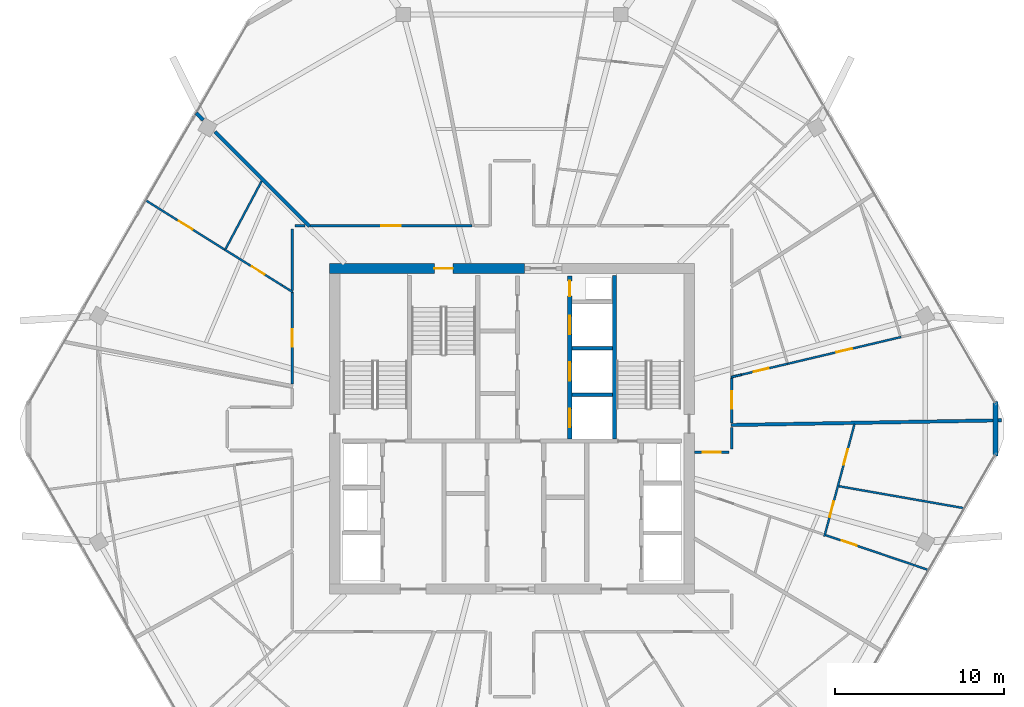
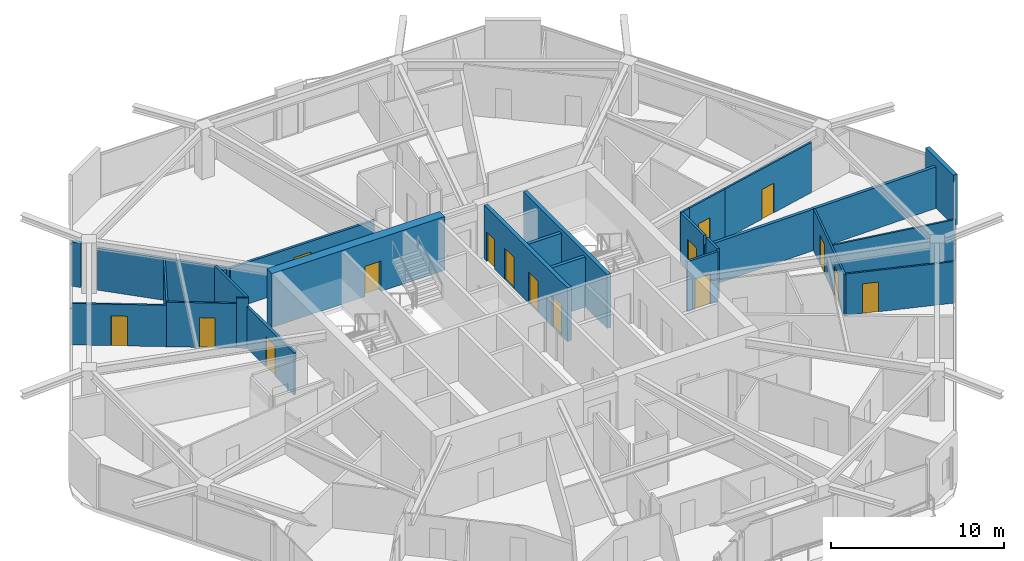
# One storey, part 22 of 26: 26 walls, 16 doors, 16 openings.
"""IFC4 building model written with IfcOpenShell, lengths in metres."""

from ifc_helpers import new_model, si_unit, direction, frame, frame_2d, origin, place, context, subcontext, project, spatial, rectangle, extrude, material, layer, layer_set, type_object, element, fill, save


model = new_model("IFC4")

# Units and contexts
model_context = context("Model", 3, precision=1e-05, world=origin(), true_north=direction((0.0, 1.0)))
body_context = subcontext(model_context, "Body", "Model", "MODEL_VIEW")
ifc_project = project(units=[si_unit("LENGTHUNIT", "METRE"), si_unit("AREAUNIT", "SQUARE_METRE"), si_unit("VOLUMEUNIT", "CUBIC_METRE"), si_unit("PLANEANGLEUNIT", "RADIAN"), si_unit("MASSUNIT", "GRAM", prefix="KILO")], contexts=[model_context])

# Site, building, storey
site_placement = place(None, origin())
site = spatial("IfcSite", under=ifc_project, at=site_placement, CompositionType="ELEMENT")
building_placement = place(site_placement, origin())
building = spatial("IfcBuilding", under=site, at=building_placement, Name="Zuhravey Tower", CompositionType="ELEMENT")
storey_placement = place(building_placement, frame((0.0, 0.0, 288.199951171875)))
storey = spatial("IfcBuildingStorey", under=building, at=storey_placement, Name="L73", CompositionType="ELEMENT", Elevation=288.199951171875)

# Wall, opening, door
ifc_material_1 = material(Name="Concrete C50/60", Category="concrete")
ifc_layer_1 = layer(ifc_material_1, 0.60009765625)
ifc_layer_set_1 = layer_set([ifc_layer_1], Name="Concrete C50/60")
wall_type_1 = type_object("IfcWallType", Name="Core Shear Wall 600", PredefinedType="SHEAR", material=ifc_layer_set_1)
wall_1_placement = place(storey_placement, frame((36.75, 41.5, 0.0), z_axis=(0.0, 0.0, 1.0), x_axis=(-1.0, 0.0, 0.0)))
wall_1 = element("IfcWall", 1, at=wall_1_placement, inside=storey, type_object=wall_type_1, Name="L73 North-West Core Shear Wall CW60", PredefinedType="SHEAR", context=body_context, shape_type="SweptSolid", body=[
    extrude(rectangle(XDim=11.550048828125, YDim=0.60009765625, at=frame_2d((5.77490234375, 0.0))), origin(), (0.0, 0.0, 1.0), 3.800048828125),
])
opening_1_placement = place(wall_1_placement, frame((4.25, 0.0, 0.0)))
opening_1 = element("IfcOpeningElement", 2, at=opening_1_placement, cuts=wall_1, Name="Opening STD1", PredefinedType="OPENING", context=body_context, shape_type="SweptSolid", body=[
    extrude(rectangle(XDim=1.10009765625, YDim=2.14990234375, at=frame_2d((0.550048828125, 1.074951171875))), frame((0.0, 0.31201171875, 0.0), z_axis=(0.0, -1.0, 0.0), x_axis=(1.0, 0.0, 0.0)), (0.0, 0.0, 1.0), 0.6240234375),
])
ifc_material_2 = material(Name="Galvanised fire-rated steel leaf", Category="steel")
door_type_1 = type_object("IfcDoorType", Name="Protected Stair Fire Door 1100x2150", OperationType="NOTDEFINED", PredefinedType="USERDEFINED", material=ifc_material_2)
door_1_placement = place(opening_1_placement, origin())
door_1 = element("IfcDoor", 3, at=door_1_placement, inside=storey, type_object=door_type_1, Name="L73 Stair ST3 Door", ObjectType="EXITDOOR", OperationType="SINGLE_SWING_LEFT", OverallHeight=2.14990234375, OverallWidth=1.10009765625, PredefinedType="USERDEFINED", context=body_context, shape_type="SweptSolid", body=[
    extrude(rectangle(XDim=1.10009765625, YDim=2.14990234375, at=frame_2d((0.550048828125, 1.074951171875))), frame((0.0, 0.02490234375, 0.0), z_axis=(0.0, -1.0, 0.0), x_axis=(1.0, 0.0, 0.0)), (0.0, 0.0, 1.0), 0.050048828125),
])
fill(opening_1, door_1)

ifc_material_3 = material(Name="Gypsum fire-rated stud partition")
ifc_layer_2 = layer(ifc_material_3, 0.159912109375)
ifc_layer_set_2 = layer_set([ifc_layer_2], Name="Gypsum fire-rated stud partition")
wall_type_2 = type_object("IfcWallType", Name="Corridor Fire Partition 160", PredefinedType="PARTITIONING", material=ifc_layer_set_2)
wall_2_placement = place(storey_placement, frame((46.820068359375, 30.6201171875, 0.0), z_axis=(0.0, 0.0, 1.0), x_axis=(1.0, 0.0, 0.0)))
wall_2 = element("IfcWall", 4, at=wall_2_placement, inside=storey, type_object=wall_type_2, Name="L73 IW16 Partition 047", PredefinedType="PARTITIONING", context=body_context, shape_type="SweptSolid", body=[
    extrude(rectangle(XDim=2.030029296875, YDim=0.159912109375, at=frame_2d((1.01513671875, 0.0))), origin(), (0.0, 0.0, 1.0), 3.550048828125),
])
opening_2_placement = place(wall_2_placement, frame((0.489990234375, 0.0, 0.0)))
opening_2 = element("IfcOpeningElement", 5, at=opening_2_placement, cuts=wall_2, Name="Opening APD1", PredefinedType="OPENING", context=body_context, shape_type="SweptSolid", body=[
    extrude(rectangle(XDim=1.050048828125, YDim=2.14990234375, at=frame_2d((0.52490234375, 1.074951171875))), frame((0.0, 0.092041015625, 0.0), z_axis=(0.0, -1.0, 0.0), x_axis=(1.0, 0.0, 0.0)), (0.0, 0.0, 1.0), 0.183837890625),
])
ifc_material_4 = material(Name="Solid-core oak fire-rated leaf")
door_type_2 = type_object("IfcDoorType", Name="Apartment Entrance Fire Door 1050x2150", OperationType="NOTDEFINED", PredefinedType="DOOR", material=ifc_material_4)
door_2_placement = place(opening_2_placement, frame((1.050048828125, 0.0, 0.0), z_axis=(0.0, 0.0, 1.0), x_axis=(-1.0, 0.0, 0.0)))
door_2 = element("IfcDoor", 6, at=door_2_placement, inside=storey, type_object=door_type_2, Name="L73 Door 047.1", OperationType="SINGLE_SWING_RIGHT", OverallHeight=2.14990234375, OverallWidth=1.050048828125, PredefinedType="DOOR", context=body_context, shape_type="SweptSolid", body=[
    extrude(rectangle(XDim=1.050048828125, YDim=2.14990234375, at=frame_2d((0.52490234375, 1.074951171875))), frame((0.0, 0.02490234375, 0.0), z_axis=(0.0, -1.0, 0.0), x_axis=(1.0, 0.0, 0.0)), (0.0, 0.0, 1.0), 0.050048828125),
])
fill(opening_2, door_2)

wall_3_placement = place(storey_placement, frame((49.030029296875, 32.361083984375, 0.0), z_axis=(0.0, 0.0, 1.0), x_axis=(0.0, 1.0, 0.0)))
wall_3 = element("IfcWall", 7, at=wall_3_placement, inside=storey, type_object=wall_type_2, Name="L73 IW16 Partition 051", PredefinedType="PARTITIONING", context=body_context, shape_type="SweptSolid", body=[
    extrude(rectangle(XDim=2.693603515625, YDim=0.159912109375, at=frame_2d((1.3466796875, 0.0))), origin(), (0.0, 0.0, 1.0), 3.550048828125),
])
opening_3_placement = place(wall_3_placement, frame((0.82177734375, 0.0, 0.0)))
opening_3 = element("IfcOpeningElement", 8, at=opening_3_placement, cuts=wall_3, Name="Opening APD1", PredefinedType="OPENING", context=body_context, shape_type="SweptSolid", body=[
    extrude(rectangle(XDim=1.050048828125, YDim=2.14990234375, at=frame_2d((0.52490234375, 1.074951171875))), frame((0.0, 0.092041015625, 0.0), z_axis=(0.0, -1.0, 0.0), x_axis=(1.0, 0.0, 0.0)), (0.0, 0.0, 1.0), 0.183837890625),
])
door_3_placement = place(opening_3_placement, frame((1.050048828125, 0.0, 0.0), z_axis=(0.0, 0.0, 1.0), x_axis=(-1.0, 0.0, 0.0)))
door_3 = element("IfcDoor", 9, at=door_3_placement, inside=storey, type_object=door_type_2, Name="L73 Door 051.1", OperationType="SINGLE_SWING_RIGHT", OverallHeight=2.14990234375, OverallWidth=1.050048828125, PredefinedType="DOOR", context=body_context, shape_type="SweptSolid", body=[
    extrude(rectangle(XDim=1.050048828125, YDim=2.14990234375, at=frame_2d((0.52490234375, 1.074951171875))), frame((0.0, 0.02490234375, 0.0), z_axis=(0.0, -1.0, 0.0), x_axis=(1.0, 0.0, 0.0)), (0.0, 0.0, 1.0), 0.050048828125),
])
fill(opening_3, door_3)

wall_4_placement = place(storey_placement, frame((33.64111328125, 44.030029296875, 0.0), z_axis=(0.0, 0.0, 1.0), x_axis=(-1.0, 0.0, 0.0)))
wall_4 = element("IfcWall", 10, at=wall_4_placement, inside=storey, type_object=wall_type_2, Name="L73 IW16 Partition 061", PredefinedType="PARTITIONING", context=body_context, shape_type="SweptSolid", body=[
    extrude(rectangle(XDim=9.642822265625, YDim=0.159912109375, at=frame_2d((4.8212890625, 0.0))), origin(), (0.0, 0.0, 1.0), 2.949951171875),
])
opening_4_placement = place(wall_4_placement, frame((4.246337890625, 0.0, 0.0)))
opening_4 = element("IfcOpeningElement", 11, at=opening_4_placement, cuts=wall_4, Name="Opening CLD1", PredefinedType="OPENING", context=body_context, shape_type="SweptSolid", body=[
    extrude(rectangle(XDim=1.14990234375, YDim=2.199951171875, at=frame_2d((0.574951171875, 1.10009765625))), frame((0.0, 0.092041015625, 0.0), z_axis=(0.0, -1.0, 0.0), x_axis=(1.0, 0.0, 0.0)), (0.0, 0.0, 1.0), 0.183837890625),
])
ifc_material_5 = material(Name="Acoustic timber leaf with vision lite", Category="wood")
door_type_3 = type_object("IfcDoorType", Name="Classroom Acoustic Door 1150x2200", OperationType="NOTDEFINED", PredefinedType="DOOR", material=ifc_material_5)
door_4_placement = place(opening_4_placement, frame((1.14990234375, 0.0, 0.0), z_axis=(0.0, 0.0, 1.0), x_axis=(-1.0, 0.0, 0.0)))
door_4 = element("IfcDoor", 12, at=door_4_placement, inside=storey, type_object=door_type_3, Name="L73 Door 061.1", OperationType="SINGLE_SWING_RIGHT", OverallHeight=2.199951171875, OverallWidth=1.14990234375, PredefinedType="DOOR", context=body_context, shape_type="SweptSolid", body=[
    extrude(rectangle(XDim=1.14990234375, YDim=2.199951171875, at=frame_2d((0.574951171875, 1.10009765625))), frame((0.0, 0.02490234375, 0.0), z_axis=(0.0, -1.0, 0.0), x_axis=(1.0, 0.0, 0.0)), (0.0, 0.0, 1.0), 0.050048828125),
])
fill(opening_4, door_4)

wall_5_placement = place(storey_placement, frame((22.969970703125, 40.105712890625, 0.0), z_axis=(0.0, 0.0, 1.0), x_axis=(0.0, -1.0, 0.0)))
wall_5 = element("IfcWall", 13, at=wall_5_placement, inside=storey, type_object=wall_type_2, Name="L73 IW16 Partition 064", PredefinedType="PARTITIONING", context=body_context, shape_type="SweptSolid", body=[
    extrude(rectangle(XDim=5.434326171875, YDim=0.159912109375, at=frame_2d((2.71728515625, 0.0))), origin(), (0.0, 0.0, 1.0), 2.949951171875),
])
opening_5_placement = place(wall_5_placement, frame((2.192138671875, 0.0, 0.0)))
opening_5 = element("IfcOpeningElement", 14, at=opening_5_placement, cuts=wall_5, Name="Opening APD1", PredefinedType="OPENING", context=body_context, shape_type="SweptSolid", body=[
    extrude(rectangle(XDim=1.050048828125, YDim=2.14990234375, at=frame_2d((0.52490234375, 1.074951171875))), frame((0.0, 0.092041015625, 0.0), z_axis=(0.0, -1.0, 0.0), x_axis=(1.0, 0.0, 0.0)), (0.0, 0.0, 1.0), 0.183837890625),
])
door_5_placement = place(opening_5_placement, frame((1.050048828125, 0.0, 0.0), z_axis=(0.0, 0.0, 1.0), x_axis=(-1.0, 0.0, 0.0)))
door_5 = element("IfcDoor", 15, at=door_5_placement, inside=storey, type_object=door_type_2, Name="L73 Door 064.1", OperationType="SINGLE_SWING_LEFT", OverallHeight=2.14990234375, OverallWidth=1.050048828125, PredefinedType="DOOR", context=body_context, shape_type="SweptSolid", body=[
    extrude(rectangle(XDim=1.050048828125, YDim=2.14990234375, at=frame_2d((0.52490234375, 1.074951171875))), frame((0.0, 0.02490234375, 0.0), z_axis=(0.0, -1.0, 0.0), x_axis=(1.0, 0.0, 0.0)), (0.0, 0.0, 1.0), 0.050048828125),
])
fill(opening_5, door_5)

# Walls
wall_6_placement = place(storey_placement, frame((49.030029296875, 30.800048828125, 0.0), z_axis=(0.0, 0.0, 1.0), x_axis=(0.0, 1.0, 0.0)))
element("IfcWall", 16, at=wall_6_placement, inside=storey, type_object=wall_type_2, Name="L73 IW16 Partition 122", PredefinedType="PARTITIONING", context=body_context, shape_type="SweptSolid", body=[
    extrude(rectangle(XDim=1.293701171875, YDim=0.159912109375, at=frame_2d((0.64697265625, 0.0))), origin(), (0.0, 0.0, 1.0), 3.550048828125),
])
wall_7_placement = place(storey_placement, frame((22.969970703125, 43.85009765625, 0.0), z_axis=(0.0, 0.0, 1.0), x_axis=(0.0, -1.0, 0.0)))
element("IfcWall", 17, at=wall_7_placement, inside=storey, type_object=wall_type_2, Name="L73 IW16 Partition 131", PredefinedType="PARTITIONING", context=body_context, shape_type="SweptSolid", body=[
    extrude(rectangle(XDim=3.640625, YDim=0.159912109375, at=frame_2d((1.8203125, 0.0))), origin(), (0.0, 0.0, 1.0), 3.550048828125),
])
wall_8_placement = place(storey_placement, frame((23.7294921875, 44.030029296875, 0.0), z_axis=(0.0, 0.0, 1.0), x_axis=(-1.0, 0.0, 0.0)))
element("IfcWall", 18, at=wall_8_placement, inside=storey, type_object=wall_type_2, Name="L73 IW16 Partition 132", PredefinedType="PARTITIONING", context=body_context, shape_type="SweptSolid", body=[
    extrude(rectangle(XDim=0.57958984375, YDim=0.159912109375, at=frame_2d((0.289794921875, 0.0))), origin(), (0.0, 0.0, 1.0), 2.949951171875),
])
ifc_material_6 = material(Name="Precast concrete C40/50", Category="concrete")
ifc_layer_3 = layer(ifc_material_6, 0.280029296875)
ifc_layer_set_3 = layer_set([ifc_layer_3], Name="Precast concrete C40/50")
wall_type_3 = type_object("IfcWallType", Name="Crown Architectural Wall 280", PredefinedType="SOLIDWALL", material=ifc_layer_set_3)
wall_9_placement = place(storey_placement, frame((64.64501953125, 33.607421875, 0.0), z_axis=(0.0, 0.0, 1.0), x_axis=(0.0, -1.0, 0.0)))
element("IfcWall", 19, at=wall_9_placement, inside=storey, type_object=wall_type_3, Name="L73 Rounded Corner Closure Wall EW28-12", PredefinedType="SOLIDWALL", context=body_context, shape_type="SweptSolid", body=[
    extrude(rectangle(XDim=3.21484375, YDim=0.280029296875, at=frame_2d((1.607421875, 0.0))), origin(), (0.0, 0.0, 1.0), 3.550048828125),
])
ifc_layer_4 = layer(ifc_material_1, 0.25)
ifc_layer_set_4 = layer_set([ifc_layer_4], Name="Concrete C50/60")
wall_type_4 = type_object("IfcWallType", Name="Firefighting Shaft & Stair Wall 250", PredefinedType="SOLIDWALL", material=ifc_layer_set_4)
wall_10_placement = place(storey_placement, frame((42.074951171875, 31.39990234375, 0.0), z_axis=(0.0, 0.0, 1.0), x_axis=(0.0, 1.0, 0.0)))
element("IfcWall", 20, at=wall_10_placement, inside=storey, type_object=wall_type_4, Name="L73 FW25 Shaft Wall 006", PredefinedType="SOLIDWALL", context=body_context, shape_type="SweptSolid", body=[
    extrude(rectangle(XDim=9.7001953125, YDim=0.25, at=frame_2d((4.85009765625, 0.0))), origin(), (0.0, 0.0, 1.0), 3.800048828125),
])

# Wall, openings, doors
wall_11_placement = place(storey_placement, frame((39.425048828125, 31.39990234375, 0.0), z_axis=(0.0, 0.0, 1.0), x_axis=(0.0, 1.0, 0.0)))
wall_11 = element("IfcWall", 21, at=wall_11_placement, inside=storey, type_object=wall_type_4, Name="L73 FW25 Shaft Wall 008", PredefinedType="SOLIDWALL", context=body_context, shape_type="SweptSolid", body=[
    extrude(rectangle(XDim=9.650146484375, YDim=0.25, at=frame_2d((4.8251953125, 0.0))), origin(), (0.0, 0.0, 1.0), 3.800048828125),
])
opening_6_placement = place(wall_11_placement, frame((0.699951171875, 0.0, 0.0)))
opening_6 = element("IfcOpeningElement", 22, at=opening_6_placement, cuts=wall_11, Name="Opening LD1", PredefinedType="OPENING", context=body_context, shape_type="SweptSolid", body=[
    extrude(rectangle(XDim=1.10009765625, YDim=2.199951171875, at=frame_2d((0.550048828125, 1.10009765625))), frame((0.0, 0.136962890625, 0.0), z_axis=(0.0, -1.0, 0.0), x_axis=(1.0, 0.0, 0.0)), (0.0, 0.0, 1.0), 0.27392578125),
])
opening_7_placement = place(wall_11_placement, frame((3.449951171875, 0.0, 0.0)))
opening_7 = element("IfcOpeningElement", 23, at=opening_7_placement, cuts=wall_11, Name="Opening LD1", PredefinedType="OPENING", context=body_context, shape_type="SweptSolid", body=[
    extrude(rectangle(XDim=1.10009765625, YDim=2.199951171875, at=frame_2d((0.550048828125, 1.10009765625))), frame((0.0, 0.136962890625, 0.0), z_axis=(0.0, -1.0, 0.0), x_axis=(1.0, 0.0, 0.0)), (0.0, 0.0, 1.0), 0.27392578125),
])
opening_8_placement = place(wall_11_placement, frame((6.199951171875, 0.0, 0.0)))
opening_8 = element("IfcOpeningElement", 24, at=opening_8_placement, cuts=wall_11, Name="Opening LD1", PredefinedType="OPENING", context=body_context, shape_type="SweptSolid", body=[
    extrude(rectangle(XDim=1.10009765625, YDim=2.199951171875, at=frame_2d((0.550048828125, 1.10009765625))), frame((0.0, 0.136962890625, 0.0), z_axis=(0.0, -1.0, 0.0), x_axis=(1.0, 0.0, 0.0)), (0.0, 0.0, 1.0), 0.27392578125),
])
opening_9_placement = place(wall_11_placement, frame((8.469970703125, 0.0, 0.0)))
opening_9 = element("IfcOpeningElement", 25, at=opening_9_placement, cuts=wall_11, Name="Opening RSD1", PredefinedType="OPENING", context=body_context, shape_type="SweptSolid", body=[
    extrude(rectangle(XDim=0.89990234375, YDim=2.10009765625, at=frame_2d((0.449951171875, 1.050048828125))), frame((0.0, 0.136962890625, 0.0), z_axis=(0.0, -1.0, 0.0), x_axis=(1.0, 0.0, 0.0)), (0.0, 0.0, 1.0), 0.27392578125),
])
ifc_material_7 = material(Name="Brushed stainless steel", Category="steel")
door_type_4 = type_object("IfcDoorType", Name="Lift Landing Sliding Door 1100x2200", OperationType="DOUBLE_DOOR_SLIDING", PredefinedType="DOOR", material=ifc_material_7)
door_6_placement = place(opening_6_placement, origin())
door_6 = element("IfcDoor", 26, at=door_6_placement, inside=storey, type_object=door_type_4, Name="L73 Lift PL7 Landing Door", OperationType="DOUBLE_DOOR_SLIDING", OverallHeight=2.199951171875, OverallWidth=1.10009765625, PredefinedType="DOOR", context=body_context, shape_type="SweptSolid", body=[
    extrude(rectangle(XDim=1.10009765625, YDim=2.199951171875, at=frame_2d((0.550048828125, 1.10009765625))), frame((0.0, 0.02490234375, 0.0), z_axis=(0.0, -1.0, 0.0), x_axis=(1.0, 0.0, 0.0)), (0.0, 0.0, 1.0), 0.050048828125),
])
fill(opening_6, door_6)
door_7_placement = place(opening_7_placement, origin())
door_7 = element("IfcDoor", 27, at=door_7_placement, inside=storey, type_object=door_type_4, Name="L73 Lift PL8 Landing Door", OperationType="DOUBLE_DOOR_SLIDING", OverallHeight=2.199951171875, OverallWidth=1.10009765625, PredefinedType="DOOR", context=body_context, shape_type="SweptSolid", body=[
    extrude(rectangle(XDim=1.10009765625, YDim=2.199951171875, at=frame_2d((0.550048828125, 1.10009765625))), frame((0.0, 0.02490234375, 0.0), z_axis=(0.0, -1.0, 0.0), x_axis=(1.0, 0.0, 0.0)), (0.0, 0.0, 1.0), 0.050048828125),
])
fill(opening_7, door_7)
door_8_placement = place(opening_8_placement, origin())
door_8 = element("IfcDoor", 28, at=door_8_placement, inside=storey, type_object=door_type_4, Name="L73 Lift PL9 Landing Door", OperationType="DOUBLE_DOOR_SLIDING", OverallHeight=2.199951171875, OverallWidth=1.10009765625, PredefinedType="DOOR", context=body_context, shape_type="SweptSolid", body=[
    extrude(rectangle(XDim=1.10009765625, YDim=2.199951171875, at=frame_2d((0.550048828125, 1.10009765625))), frame((0.0, 0.02490234375, 0.0), z_axis=(0.0, -1.0, 0.0), x_axis=(1.0, 0.0, 0.0)), (0.0, 0.0, 1.0), 0.050048828125),
])
fill(opening_8, door_8)
ifc_material_8 = material(Name="Galvanised fire-rated steel access leaf", Category="steel")
door_type_5 = type_object("IfcDoorType", Name="Riser & Shaft Access Fire Door 900x2100", OperationType="NOTDEFINED", PredefinedType="DOOR", material=ifc_material_8)
door_9_placement = place(opening_9_placement, origin())
door_9 = element("IfcDoor", 29, at=door_9_placement, inside=storey, type_object=door_type_5, Name="L73 North Riser Door", OperationType="SINGLE_SWING_RIGHT", OverallHeight=2.10009765625, OverallWidth=0.89990234375, PredefinedType="DOOR", context=body_context, shape_type="SweptSolid", body=[
    extrude(rectangle(XDim=0.89990234375, YDim=2.10009765625, at=frame_2d((0.449951171875, 1.050048828125))), frame((0.0, 0.02490234375, 0.0), z_axis=(0.0, -1.0, 0.0), x_axis=(1.0, 0.0, 0.0)), (0.0, 0.0, 1.0), 0.050048828125),
])
fill(opening_9, door_9)

# Walls
ifc_material_9 = material(Name="Gypsum double-stud party assembly")
ifc_layer_5 = layer(ifc_material_9, 0.199951171875)
ifc_layer_set_5 = layer_set([ifc_layer_5], Name="Gypsum double-stud party assembly")
wall_type_5 = type_object("IfcWallType", Name="Inter-Tenancy Party Wall 200", PredefinedType="PARTITIONING", material=ifc_layer_set_5)
wall_12_placement = place(storey_placement, frame((48.989990234375, 32.226806640625, 0.0), z_axis=(0.0, 0.0, 1.0), x_axis=(0.999847852854, 0.01744336962, 0.0)))
element("IfcWall", 30, at=wall_12_placement, inside=storey, type_object=wall_type_5, Name="L73 IW20 Partition 092", PredefinedType="PARTITIONING", context=body_context, shape_type="SweptSolid", body=[
    extrude(rectangle(XDim=16.025634765625, YDim=0.199951171875, at=frame_2d((8.0126953125, 0.0))), origin(), (0.0, 0.0, 1.0), 2.929931640625),
])
wall_13_placement = place(storey_placement, frame((23.998291015625, 44.001708984375, 0.0), z_axis=(0.0, 0.0, 1.0), x_axis=(-0.707106781187, 0.707106781187, 0.0)))
element("IfcWall", 31, at=wall_13_placement, inside=storey, type_object=wall_type_5, Name="L73 IW20 Partition 106", PredefinedType="PARTITIONING", context=body_context, shape_type="SweptSolid", body=[
    extrude(rectangle(XDim=7.915283203125, YDim=0.199951171875, at=frame_2d((3.95751953125, 0.0))), origin(), (0.0, 0.0, 1.0), 2.949951171875),
])
wall_14_placement = place(storey_placement, frame((17.7001953125, 50.2998046875, 0.0), z_axis=(0.0, 0.0, 1.0), x_axis=(-0.707106781187, 0.707106781187, 0.0)))
element("IfcWall", 32, at=wall_14_placement, inside=storey, type_object=wall_type_5, Name="L73 IW20 Partition 107", PredefinedType="PARTITIONING", context=body_context, shape_type="SweptSolid", body=[
    extrude(rectangle(XDim=0.585693359375, YDim=0.199951171875, at=frame_2d((0.29296875, 0.0))), origin(), (0.0, 0.0, 1.0), 3.1220703125),
])
ifc_material_10 = material(Name="Gypsum acoustic stud assembly")
ifc_layer_6 = layer(ifc_material_10, 0.219970703125)
ifc_layer_set_6 = layer_set([ifc_layer_6], Name="Gypsum acoustic stud assembly")
wall_type_6 = type_object("IfcWallType", Name="School Acoustic Compartment Wall 220", PredefinedType="PARTITIONING", material=ifc_layer_set_6)
for number, where, z_axis, x_axis, name in (
    (33, (39.55810546875, 34.02490234375, 0.0), (0.0, 0.0, 1.0), (1.0, 0.0, 0.0), "L73 IW22 Partition 067"),
    (34, (39.55810546875, 36.77490234375, 0.0), (0.0, 0.0, 1.0), (1.0, 0.0, 0.0), "L73 IW22 Partition 068"),
):
    element("IfcWall", number, at=place(storey_placement, frame(where, z_axis=z_axis, x_axis=x_axis)), inside=storey, type_object=wall_type_6, Name=name, PredefinedType="PARTITIONING", context=body_context, shape_type="SweptSolid", body=[
        extrude(rectangle(XDim=2.3837890625, YDim=0.219970703125, at=frame_2d((1.19189453125, 0.0))), origin(), (0.0, 0.0, 1.0), 3.550048828125),
    ])

# Wall, openings, doors
ifc_material_11 = material(Name="Gypsum metal-stud partition")
ifc_layer_7 = layer(ifc_material_11, 0.1201171875)
ifc_layer_set_7 = layer_set([ifc_layer_7], Name="Gypsum metal-stud partition")
wall_type_7 = type_object("IfcWallType", Name="Unit Internal Partition 120", PredefinedType="PARTITIONING", material=ifc_layer_set_7)
wall_15_placement = place(storey_placement, frame((54.510498046875, 25.62158203125, 0.0), z_axis=(0.0, 0.0, 1.0), x_axis=(0.258833493947, 0.965921954617, 0.0)))
wall_15 = element("IfcWall", 35, at=wall_15_placement, inside=storey, type_object=wall_type_7, Name="L73 IW12 Partition 043", PredefinedType="PARTITIONING", context=body_context, shape_type="SweptSolid", body=[
    extrude(rectangle(XDim=6.890380859375, YDim=0.1201171875, at=frame_2d((3.4453125, 0.0))), origin(), (0.0, 0.0, 1.0), 2.949951171875),
])
opening_10_placement = place(wall_15_placement, frame((1.193115234375, 0.0, 0.0)))
opening_10 = element("IfcOpeningElement", 36, at=opening_10_placement, cuts=wall_15, Name="Opening IND1", PredefinedType="OPENING", context=body_context, shape_type="SweptSolid", body=[
    extrude(rectangle(XDim=0.949951171875, YDim=2.10009765625, at=frame_2d((0.47509765625, 1.050048828125))), frame((0.0, 0.072021484375, 0.0), z_axis=(0.0, -1.0, 0.0), x_axis=(1.0, 0.0, 0.0)), (0.0, 0.0, 1.0), 0.14404296875),
])
opening_11_placement = place(wall_15_placement, frame((4.397705078125, 0.0, 0.0)))
opening_11 = element("IfcOpeningElement", 37, at=opening_11_placement, cuts=wall_15, Name="Opening IND1", PredefinedType="OPENING", context=body_context, shape_type="SweptSolid", body=[
    extrude(rectangle(XDim=0.949951171875, YDim=2.10009765625, at=frame_2d((0.47509765625, 1.050048828125))), frame((0.0, 0.072021484375, 0.0), z_axis=(0.0, -1.0, 0.0), x_axis=(1.0, 0.0, 0.0)), (0.0, 0.0, 1.0), 0.14404296875),
])
ifc_material_12 = material(Name="Painted engineered timber leaf", Category="wood")
door_type_6 = type_object("IfcDoorType", Name="Internal Room & Bedroom Door 950x2100", OperationType="NOTDEFINED", PredefinedType="DOOR", material=ifc_material_12)
door_10_placement = place(opening_10_placement, frame((0.949951171875, 0.0, 0.0), z_axis=(0.0, 0.0, 1.0), x_axis=(-1.0, 0.0, 0.0)))
door_10 = element("IfcDoor", 38, at=door_10_placement, inside=storey, type_object=door_type_6, Name="Apartment L73-05 Family Study Door", OperationType="SINGLE_SWING_RIGHT", OverallHeight=2.10009765625, OverallWidth=0.949951171875, PredefinedType="DOOR", context=body_context, shape_type="SweptSolid", body=[
    extrude(rectangle(XDim=0.949951171875, YDim=2.10009765625, at=frame_2d((0.47509765625, 1.050048828125))), frame((0.0, 0.02490234375, 0.0), z_axis=(0.0, -1.0, 0.0), x_axis=(1.0, 0.0, 0.0)), (0.0, 0.0, 1.0), 0.050048828125),
])
fill(opening_10, door_10)
door_11_placement = place(opening_11_placement, frame((0.949951171875, 0.0, 0.0), z_axis=(0.0, 0.0, 1.0), x_axis=(-1.0, 0.0, 0.0)))
door_11 = element("IfcDoor", 39, at=door_11_placement, inside=storey, type_object=door_type_6, Name="Apartment L73-05 Dining Room Door", OperationType="SINGLE_SWING_LEFT", OverallHeight=2.10009765625, OverallWidth=0.949951171875, PredefinedType="DOOR", context=body_context, shape_type="SweptSolid", body=[
    extrude(rectangle(XDim=0.949951171875, YDim=2.10009765625, at=frame_2d((0.47509765625, 1.050048828125))), frame((0.0, 0.02490234375, 0.0), z_axis=(0.0, -1.0, 0.0), x_axis=(1.0, 0.0, 0.0)), (0.0, 0.0, 1.0), 0.050048828125),
])
fill(opening_11, door_11)

# Wall, opening, door
wall_16_placement = place(storey_placement, frame((54.60107421875, 25.69677734375, 0.0), z_axis=(0.0, 0.0, 1.0), x_axis=(0.947084656941, -0.320983882128, 0.0)))
wall_16 = element("IfcWall", 40, at=wall_16_placement, inside=storey, type_object=wall_type_7, Name="L73 IW12 Partition 046", PredefinedType="PARTITIONING", context=body_context, shape_type="SweptSolid", body=[
    extrude(rectangle(XDim=6.431640625, YDim=0.1201171875, at=frame_2d((3.2158203125, 0.0))), origin(), (0.0, 0.0, 1.0), 2.929931640625),
])
opening_12_placement = place(wall_16_placement, frame((0.9853515625, 0.0, 0.0)))
opening_12 = element("IfcOpeningElement", 41, at=opening_12_placement, cuts=wall_16, Name="Opening IND1", PredefinedType="OPENING", context=body_context, shape_type="SweptSolid", body=[
    extrude(rectangle(XDim=0.949951171875, YDim=2.10009765625, at=frame_2d((0.47509765625, 1.050048828125))), frame((0.0, 0.072021484375, 0.0), z_axis=(0.0, -1.0, 0.0), x_axis=(1.0, 0.0, 0.0)), (0.0, 0.0, 1.0), 0.14404296875),
])
door_12_placement = place(opening_12_placement, frame((0.949951171875, 0.0, 0.0), z_axis=(0.0, 0.0, 1.0), x_axis=(-1.0, 0.0, 0.0)))
door_12 = element("IfcDoor", 42, at=door_12_placement, inside=storey, type_object=door_type_6, Name="Apartment L73-05 Kitchen Door", OperationType="SINGLE_SWING_LEFT", OverallHeight=2.10009765625, OverallWidth=0.949951171875, PredefinedType="DOOR", context=body_context, shape_type="SweptSolid", body=[
    extrude(rectangle(XDim=0.949951171875, YDim=2.10009765625, at=frame_2d((0.47509765625, 1.050048828125))), frame((0.0, 0.02490234375, 0.0), z_axis=(0.0, -1.0, 0.0), x_axis=(1.0, 0.0, 0.0)), (0.0, 0.0, 1.0), 0.050048828125),
])
fill(opening_12, door_12)

wall_17_placement = place(storey_placement, frame((49.60009765625, 35.2099609375, 0.0), z_axis=(0.0, 0.0, 1.0), x_axis=(0.973261007636, 0.229702004812, 0.0)))
wall_17 = element("IfcWall", 43, at=wall_17_placement, inside=storey, type_object=wall_type_7, Name="L73 IW12 Partition 048", PredefinedType="PARTITIONING", context=body_context, shape_type="SweptSolid", body=[
    extrude(rectangle(XDim=2.83349609375, YDim=0.1201171875, at=frame_2d((1.416748046875, 0.0))), origin(), (0.0, 0.0, 1.0), 3.550048828125),
])
opening_13_placement = place(wall_17_placement, frame((0.740234375, 0.0, 0.0)))
opening_13 = element("IfcOpeningElement", 44, at=opening_13_placement, cuts=wall_17, Name="Opening WCD1", PredefinedType="OPENING", context=body_context, shape_type="SweptSolid", body=[
    extrude(rectangle(XDim=0.89990234375, YDim=2.10009765625, at=frame_2d((0.449951171875, 1.050048828125))), frame((0.0, 0.072021484375, 0.0), z_axis=(0.0, -1.0, 0.0), x_axis=(1.0, 0.0, 0.0)), (0.0, 0.0, 1.0), 0.14404296875),
])
ifc_material_13 = material(Name="Moisture-resistant timber leaf", Category="wood")
door_type_7 = type_object("IfcDoorType", Name="Bathroom & WC Internal Door 900x2100", OperationType="NOTDEFINED", PredefinedType="DOOR", material=ifc_material_13)
door_13_placement = place(opening_13_placement, origin())
door_13 = element("IfcDoor", 45, at=door_13_placement, inside=storey, type_object=door_type_7, Name="Apartment L73-06 Bathroom Door", OperationType="SINGLE_SWING_LEFT", OverallHeight=2.10009765625, OverallWidth=0.89990234375, PredefinedType="DOOR", context=body_context, shape_type="SweptSolid", body=[
    extrude(rectangle(XDim=0.89990234375, YDim=2.10009765625, at=frame_2d((0.449951171875, 1.050048828125))), frame((0.0, 0.02490234375, 0.0), z_axis=(0.0, -1.0, 0.0), x_axis=(1.0, 0.0, 0.0)), (0.0, 0.0, 1.0), 0.050048828125),
])
fill(opening_13, door_13)

wall_18_placement = place(storey_placement, frame((52.35791015625, 35.86083984375, 0.0), z_axis=(0.0, 0.0, 1.0), x_axis=(0.973258867779, 0.229711071324, 0.0)))
wall_18 = element("IfcWall", 46, at=wall_18_placement, inside=storey, type_object=wall_type_7, Name="L73 IW12 Partition 049", PredefinedType="PARTITIONING", context=body_context, shape_type="SweptSolid", body=[
    extrude(rectangle(XDim=6.886962890625, YDim=0.1201171875, at=frame_2d((3.443359375, 0.0))), origin(), (0.0, 0.0, 1.0), 3.550048828125),
])
opening_14_placement = place(wall_18_placement, frame((2.943603515625, 0.0, 0.0)))
opening_14 = element("IfcOpeningElement", 47, at=opening_14_placement, cuts=wall_18, Name="Opening IND1", PredefinedType="OPENING", context=body_context, shape_type="SweptSolid", body=[
    extrude(rectangle(XDim=0.949951171875, YDim=2.10009765625, at=frame_2d((0.47509765625, 1.050048828125))), frame((0.0, 0.072021484375, 0.0), z_axis=(0.0, -1.0, 0.0), x_axis=(1.0, 0.0, 0.0)), (0.0, 0.0, 1.0), 0.14404296875),
])
door_14_placement = place(opening_14_placement, origin())
door_14 = element("IfcDoor", 48, at=door_14_placement, inside=storey, type_object=door_type_6, Name="Apartment L73-06 Home Office Door", OperationType="SINGLE_SWING_RIGHT", OverallHeight=2.10009765625, OverallWidth=0.949951171875, PredefinedType="DOOR", context=body_context, shape_type="SweptSolid", body=[
    extrude(rectangle(XDim=0.949951171875, YDim=2.10009765625, at=frame_2d((0.47509765625, 1.050048828125))), frame((0.0, 0.02490234375, 0.0), z_axis=(0.0, -1.0, 0.0), x_axis=(1.0, 0.0, 0.0)), (0.0, 0.0, 1.0), 0.050048828125),
])
fill(opening_14, door_14)

wall_19_placement = place(storey_placement, frame((22.39990234375, 40.485107421875, 0.0), z_axis=(0.0, 0.0, 1.0), x_axis=(-0.848426577967, 0.529313084856, 0.0)))
wall_19 = element("IfcWall", 49, at=wall_19_placement, inside=storey, type_object=wall_type_7, Name="L73 IW12 Partition 062", PredefinedType="PARTITIONING", context=body_context, shape_type="SweptSolid", body=[
    extrude(rectangle(XDim=4.03271484375, YDim=0.1201171875, at=frame_2d((2.016357421875, 0.0))), origin(), (0.0, 0.0, 1.0), 3.150146484375),
])
opening_15_placement = place(wall_19_placement, frame((1.243896484375, 0.0, 0.0)))
opening_15 = element("IfcOpeningElement", 50, at=opening_15_placement, cuts=wall_19, Name="Opening WCD1", PredefinedType="OPENING", context=body_context, shape_type="SweptSolid", body=[
    extrude(rectangle(XDim=0.89990234375, YDim=2.10009765625, at=frame_2d((0.449951171875, 1.050048828125))), frame((0.0, 0.072021484375, 0.0), z_axis=(0.0, -1.0, 0.0), x_axis=(1.0, 0.0, 0.0)), (0.0, 0.0, 1.0), 0.14404296875),
])
door_15_placement = place(opening_15_placement, frame((0.89990234375, 0.0, 0.0), z_axis=(0.0, 0.0, 1.0), x_axis=(-1.0, 0.0, 0.0)))
door_15 = element("IfcDoor", 51, at=door_15_placement, inside=storey, type_object=door_type_7, Name="Apartment L73-10 Bathroom Door", OperationType="SINGLE_SWING_LEFT", OverallHeight=2.10009765625, OverallWidth=0.89990234375, PredefinedType="DOOR", context=body_context, shape_type="SweptSolid", body=[
    extrude(rectangle(XDim=0.89990234375, YDim=2.10009765625, at=frame_2d((0.449951171875, 1.050048828125))), frame((0.0, 0.02490234375, 0.0), z_axis=(0.0, -1.0, 0.0), x_axis=(1.0, 0.0, 0.0)), (0.0, 0.0, 1.0), 0.050048828125),
])
fill(opening_15, door_15)

wall_20_placement = place(storey_placement, frame((18.978515625, 42.61962890625, 0.0), z_axis=(0.0, 0.0, 1.0), x_axis=(-0.848420368306, 0.529323038081, 0.0)))
wall_20 = element("IfcWall", 52, at=wall_20_placement, inside=storey, type_object=wall_type_7, Name="L73 IW12 Partition 063", PredefinedType="PARTITIONING", context=body_context, shape_type="SweptSolid", body=[
    extrude(rectangle(XDim=5.52099609375, YDim=0.1201171875, at=frame_2d((2.760498046875, 0.0))), origin(), (0.0, 0.0, 1.0), 2.929931640625),
])
opening_16_placement = place(wall_20_placement, frame((2.260498046875, 0.0, 0.0)))
opening_16 = element("IfcOpeningElement", 53, at=opening_16_placement, cuts=wall_20, Name="Opening IND1", PredefinedType="OPENING", context=body_context, shape_type="SweptSolid", body=[
    extrude(rectangle(XDim=0.949951171875, YDim=2.10009765625, at=frame_2d((0.47509765625, 1.050048828125))), frame((0.0, 0.072021484375, 0.0), z_axis=(0.0, -1.0, 0.0), x_axis=(1.0, 0.0, 0.0)), (0.0, 0.0, 1.0), 0.14404296875),
])
door_16_placement = place(opening_16_placement, frame((0.949951171875, 0.0, 0.0), z_axis=(0.0, 0.0, 1.0), x_axis=(-1.0, 0.0, 0.0)))
door_16 = element("IfcDoor", 54, at=door_16_placement, inside=storey, type_object=door_type_6, Name="Apartment L73-10 Bedroom 1 Door", OperationType="SINGLE_SWING_RIGHT", OverallHeight=2.10009765625, OverallWidth=0.949951171875, PredefinedType="DOOR", context=body_context, shape_type="SweptSolid", body=[
    extrude(rectangle(XDim=0.949951171875, YDim=2.10009765625, at=frame_2d((0.47509765625, 1.050048828125))), frame((0.0, 0.02490234375, 0.0), z_axis=(0.0, -1.0, 0.0), x_axis=(1.0, 0.0, 0.0)), (0.0, 0.0, 1.0), 0.050048828125),
])
fill(opening_16, door_16)

# Walls
wall_21_placement = place(storey_placement, frame((55.37890625, 28.599609375, 0.0), z_axis=(0.0, 0.0, 1.0), x_axis=(0.984955483735, -0.172808260973, 0.0)))
element("IfcWall", 55, at=wall_21_placement, inside=storey, type_object=wall_type_7, Name="L73 IW12 Partition 090", PredefinedType="PARTITIONING", context=body_context, shape_type="SweptSolid", body=[
    extrude(rectangle(XDim=7.569580078125, YDim=0.1201171875, at=frame_2d((3.78466796875, 0.0))), origin(), (0.0, 0.0, 1.0), 2.929931640625),
])
wall_22_placement = place(storey_placement, frame((48.985595703125, 35.06494140625, 0.0), z_axis=(0.0, 0.0, 1.0), x_axis=(0.973264818569, 0.229685857064, 0.0)))
element("IfcWall", 56, at=wall_22_placement, inside=storey, type_object=wall_type_7, Name="L73 IW12 Partition 093", PredefinedType="PARTITIONING", context=body_context, shape_type="SweptSolid", body=[
    extrude(rectangle(XDim=0.63134765625, YDim=0.1201171875, at=frame_2d((0.315673828125, 0.0))), origin(), (0.0, 0.0, 1.0), 3.550048828125),
])
wall_23_placement = place(storey_placement, frame((23.0078125, 40.105712890625, 0.0), z_axis=(0.0, 0.0, 1.0), x_axis=(-0.848342652785, 0.529447583304, 0.0)))
element("IfcWall", 57, at=wall_23_placement, inside=storey, type_object=wall_type_7, Name="L73 IW12 Partition 108", PredefinedType="PARTITIONING", context=body_context, shape_type="SweptSolid", body=[
    extrude(rectangle(XDim=0.716552734375, YDim=0.1201171875, at=frame_2d((0.3583984375, 0.0))), origin(), (0.0, 0.0, 1.0), 3.550048828125),
])
wall_24_placement = place(storey_placement, frame((21.166259765625, 46.680908203125, 0.0), z_axis=(0.0, 0.0, 1.0), x_axis=(-0.469475824994, -0.88294532659, 0.0)))
element("IfcWall", 58, at=wall_24_placement, inside=storey, type_object=wall_type_7, Name="L73 IW12 Partition 109", PredefinedType="PARTITIONING", context=body_context, shape_type="SweptSolid", body=[
    extrude(rectangle(XDim=4.546630859375, YDim=0.1201171875, at=frame_2d((2.2734375, 0.0))), origin(), (0.0, 0.0, 1.0), 2.949951171875),
])

save(model, "model.ifc")
